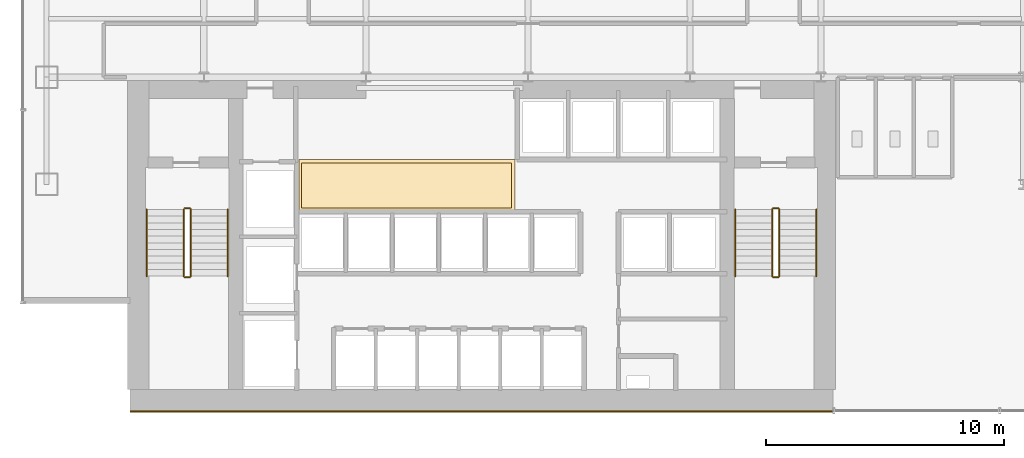
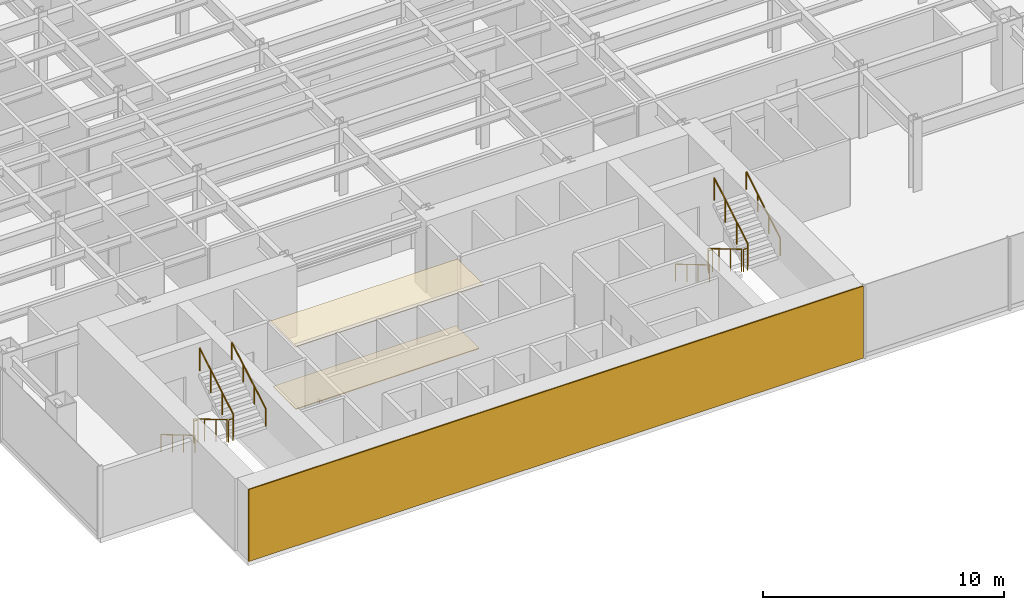
# One storey, part 20 of 22: 12 railings, 3 coverings.
"""IFC4 building model written with IfcOpenShell, lengths in metres."""

from ifc_helpers import new_model, si_unit, derived_unit, direction, frame, origin, origin_2d, place, context, subcontext, project, spatial, polyline, rectangle, circle, outline, extrude, source, transform, mapped, material, layer, layer_set, type_object, element, save


model = new_model("IFC4")

# Units and contexts
model_context = context("Model", 3, precision=1e-05, world=origin(), true_north=direction((0.0, 1.0)))
body_context = subcontext(model_context, "Body", "Model", "MODEL_VIEW")
ifc_project = project(units=[si_unit("LENGTHUNIT", "METRE"), si_unit("AREAUNIT", "SQUARE_METRE"), si_unit("VOLUMEUNIT", "CUBIC_METRE"), si_unit("PLANEANGLEUNIT", "RADIAN"), si_unit("MASSUNIT", "GRAM", prefix="KILO"), derived_unit("THERMALTRANSMITTANCEUNIT", [(si_unit("POWERUNIT", "WATT"), 1), (si_unit("LENGTHUNIT", "METRE"), -2), (si_unit("THERMODYNAMICTEMPERATUREUNIT", "KELVIN"), -1)])], contexts=[model_context])

# Site, building, storey
site_placement = place(None, origin())
site = spatial("IfcSite", under=ifc_project, at=site_placement, CompositionType="ELEMENT")
building_placement = place(site_placement, origin())
building = spatial("IfcBuilding", under=site, at=building_placement, Name="Skarnbrae Concourse Arena and Tower", CompositionType="ELEMENT")
storey_placement = place(building_placement, frame((0.0, 0.0, 61.699951171875)))
storey = spatial("IfcBuildingStorey", under=building, at=storey_placement, Name="L14", CompositionType="ELEMENT", Elevation=61.699951171875)

# Coverings
ifc_material_1 = material(Name="Mineral fibre acoustic ceiling tile", Category="other")
ifc_layer_1 = layer(ifc_material_1, 0.0400390625)
ifc_layer_set_1 = layer_set([ifc_layer_1], Name="Mineral fibre acoustic ceiling tile")
covering_type_1 = type_object("IfcCoveringType", Name="COV-CEIL-ACOUSTIC", PredefinedType="CEILING", material=ifc_layer_set_1)
covering_1_placement = place(storey_placement, frame((0.0, 0.0, 3.239990234375)))
element("IfcCovering", 1, at=covering_1_placement, inside=storey, type_object=covering_type_1, Name="L14 Lift lobby acoustic ceiling", PredefinedType="CEILING", context=body_context, shape_type="SweptSolid", body=[
    extrude(outline(polyline([(11.60009765625, 8.39990234375), (20.64990234375, 8.39990234375), (20.64990234375, 10.550048828125), (11.60009765625, 10.550048828125), (11.60009765625, 8.39990234375)])), origin(), (0.0, 0.0, 1.0), 0.0400390625),
])
ifc_material_2 = material(Name="Polished granite terrazzo flooring", Category="masonry")
ifc_layer_2 = layer(ifc_material_2, 0.0400390625)
ifc_layer_set_2 = layer_set([ifc_layer_2], Name="Polished granite terrazzo flooring")
covering_type_2 = type_object("IfcCoveringType", Name="COV-FLOOR-TERRAZZO", PredefinedType="FLOORING", material=ifc_layer_set_2)
covering_2_placement = place(storey_placement, origin())
element("IfcCovering", 2, at=covering_2_placement, inside=storey, type_object=covering_type_2, Name="L14 Lift lobby terrazzo flooring", PredefinedType="FLOORING", context=body_context, shape_type="SweptSolid", body=[
    extrude(outline(polyline([(11.699951171875, 8.5), (20.5, 8.5), (20.5, 10.39990234375), (11.699951171875, 10.39990234375), (11.699951171875, 8.5)])), origin(), (0.0, 0.0, 1.0), 0.0400390625),
])

# Railings
ifc_material_3 = material(Name="Steel CSA G40.21 350W", Category="steel")
railing_type_1 = type_object("IfcRailingType", Name="RAIL-HANDRAIL-900", PredefinedType="HANDRAIL", material=ifc_material_3)
railing_1_placement = place(storey_placement, frame((5.199951171875, 8.449951171875, 0.166015625)))
element("IfcRailing", 3, at=railing_1_placement, inside=storey, type_object=railing_type_1, Name="L14 ST-1 stair handrail 1", PredefinedType="HANDRAIL", context=body_context, shape_type="SweptSolid", body=[
    extrude(circle(Radius=0.02392578125, at=origin_2d()), frame((0.0, 0.0, 0.8759765625), z_axis=(0.0, -0.860339051648, 0.50972219513), x_axis=(1.0, 0.0, 0.0)), (0.0, 0.0, 1.0), 3.254638671875),
    extrude(circle(Radius=0.02099609375, at=origin_2d()), origin(), (0.0, 0.0, 1.0), 0.851806640625),
    extrude(circle(Radius=0.02099609375, at=origin_2d()), frame((0.0, -0.933349609375, 0.552978515625)), (0.0, 0.0, 1.0), 0.851806640625),
    extrude(circle(Radius=0.02099609375, at=origin_2d()), frame((0.0, -1.86669921875, 1.10595703125)), (0.0, 0.0, 1.0), 0.851806640625),
    extrude(circle(Radius=0.02099609375, at=origin_2d()), frame((0.0, -2.800048828125, 1.658935546875)), (0.0, 0.0, 1.0), 0.851806640625),
])
railing_2_placement = place(storey_placement, frame((8.60009765625, 5.64990234375, 1.990966796875)))
element("IfcRailing", 4, at=railing_2_placement, inside=storey, type_object=railing_type_1, Name="L14 ST-1 stair handrail 2", PredefinedType="HANDRAIL", context=body_context, shape_type="SweptSolid", body=[
    extrude(circle(Radius=0.02392578125, at=origin_2d()), frame((0.0, 0.0, 0.8759765625), z_axis=(0.0, 0.860306154799, 0.50977771628), x_axis=(-1.0, 0.0, 0.0)), (0.0, 0.0, 1.0), 3.254638671875),
    extrude(circle(Radius=0.02099609375, at=origin_2d()), origin(), (0.0, 0.0, 1.0), 0.851806640625),
    extrude(circle(Radius=0.02099609375, at=origin_2d()), frame((0.0, 0.933349609375, 0.552978515625)), (0.0, 0.0, 1.0), 0.851806640625),
    extrude(circle(Radius=0.02099609375, at=origin_2d()), frame((0.0, 1.86669921875, 1.106201171875)), (0.0, 0.0, 1.0), 0.851806640625),
    extrude(circle(Radius=0.02099609375, at=origin_2d()), frame((0.0, 2.800048828125, 1.6591796875)), (0.0, 0.0, 1.0), 0.851806640625),
])
railing_3_placement = place(storey_placement, frame((29.89990234375, 8.449951171875, 0.166015625)))
element("IfcRailing", 5, at=railing_3_placement, inside=storey, type_object=railing_type_1, Name="L14 ST-2 stair handrail 1", PredefinedType="HANDRAIL", context=body_context, shape_type="SweptSolid", body=[
    extrude(circle(Radius=0.02392578125, at=origin_2d()), frame((0.0, 0.0, 0.8759765625), z_axis=(0.0, -0.860339051648, 0.50972219513), x_axis=(1.0, 0.0, 0.0)), (0.0, 0.0, 1.0), 3.254638671875),
    extrude(circle(Radius=0.02099609375, at=origin_2d()), origin(), (0.0, 0.0, 1.0), 0.851806640625),
    extrude(circle(Radius=0.02099609375, at=origin_2d()), frame((0.0, -0.933349609375, 0.552978515625)), (0.0, 0.0, 1.0), 0.851806640625),
    extrude(circle(Radius=0.02099609375, at=origin_2d()), frame((0.0, -1.86669921875, 1.10595703125)), (0.0, 0.0, 1.0), 0.851806640625),
    extrude(circle(Radius=0.02099609375, at=origin_2d()), frame((0.0, -2.800048828125, 1.658935546875)), (0.0, 0.0, 1.0), 0.851806640625),
])
railing_4_placement = place(storey_placement, frame((33.300048828125, 5.64990234375, 1.990966796875)))
element("IfcRailing", 6, at=railing_4_placement, inside=storey, type_object=railing_type_1, Name="L14 ST-2 stair handrail 2", PredefinedType="HANDRAIL", context=body_context, shape_type="SweptSolid", body=[
    extrude(circle(Radius=0.02392578125, at=origin_2d()), frame((0.0, 0.0, 0.8759765625), z_axis=(0.0, 0.860306154799, 0.50977771628), x_axis=(-1.0, 0.0, 0.0)), (0.0, 0.0, 1.0), 3.254638671875),
    extrude(circle(Radius=0.02099609375, at=origin_2d()), origin(), (0.0, 0.0, 1.0), 0.851806640625),
    extrude(circle(Radius=0.02099609375, at=origin_2d()), frame((0.0, 0.933349609375, 0.552978515625)), (0.0, 0.0, 1.0), 0.851806640625),
    extrude(circle(Radius=0.02099609375, at=origin_2d()), frame((0.0, 1.86669921875, 1.106201171875)), (0.0, 0.0, 1.0), 0.851806640625),
    extrude(circle(Radius=0.02099609375, at=origin_2d()), frame((0.0, 2.800048828125, 1.6591796875)), (0.0, 0.0, 1.0), 0.851806640625),
])
railing_type_2 = type_object("IfcRailingType", Name="RAIL-STAIR-GUARD-1150", PredefinedType="GUARDRAIL", material=ifc_material_3)
railing_5_placement = place(storey_placement, frame((6.75, 8.449951171875, 0.166015625)))
element("IfcRailing", 7, at=railing_5_placement, inside=storey, type_object=railing_type_2, Name="L14 ST-1 stair guard 1", PredefinedType="GUARDRAIL", context=body_context, shape_type="SweptSolid", body=[
    extrude(circle(Radius=0.02392578125, at=origin_2d()), frame((0.0, 0.0, 1.1259765625), z_axis=(0.0, -0.860339051648, 0.50972219513), x_axis=(1.0, 0.0, 0.0)), (0.0, 0.0, 1.0), 3.254638671875),
    extrude(circle(Radius=0.02099609375, at=origin_2d()), origin(), (0.0, 0.0, 1.0), 1.101806640625),
    extrude(circle(Radius=0.02099609375, at=origin_2d()), frame((0.0, -0.933349609375, 0.552978515625)), (0.0, 0.0, 1.0), 1.101806640625),
    extrude(circle(Radius=0.02099609375, at=origin_2d()), frame((0.0, -1.86669921875, 1.10595703125)), (0.0, 0.0, 1.0), 1.101806640625),
    extrude(circle(Radius=0.02099609375, at=origin_2d()), frame((0.0, -2.800048828125, 1.658935546875)), (0.0, 0.0, 1.0), 1.101806640625),
])
railing_6_placement = place(storey_placement, frame((6.800048828125, 5.60009765625, 1.824951171875)))
element("IfcRailing", 8, at=railing_6_placement, inside=storey, type_object=railing_type_2, Name="L14 ST-1 stair guard 2", PredefinedType="GUARDRAIL", context=body_context, shape_type="SweptSolid", body=[
    extrude(circle(Radius=0.02392578125, at=origin_2d()), frame((0.0, 0.0, 1.1259765625), z_axis=(1.0, 0.0, 0.0), x_axis=(0.0, 1.0, 0.0)), (0.0, 0.0, 1.0), 0.199951171875),
    extrude(circle(Radius=0.02099609375, at=origin_2d()), origin(), (0.0, 0.0, 1.0), 1.101806640625),
    extrude(circle(Radius=0.02099609375, at=origin_2d()), frame((0.199951171875, 0.0, 0.0)), (0.0, 0.0, 1.0), 1.101806640625),
])
railing_7_placement = place(storey_placement, frame((7.050048828125, 5.64990234375, 1.990966796875)))
element("IfcRailing", 9, at=railing_7_placement, inside=storey, type_object=railing_type_2, Name="L14 ST-1 stair guard 3", PredefinedType="GUARDRAIL", context=body_context, shape_type="SweptSolid", body=[
    extrude(circle(Radius=0.02392578125, at=origin_2d()), frame((0.0, 0.0, 1.1259765625), z_axis=(0.0, 0.860306154799, 0.50977771628), x_axis=(-1.0, 0.0, 0.0)), (0.0, 0.0, 1.0), 3.254638671875),
    extrude(circle(Radius=0.02099609375, at=origin_2d()), origin(), (0.0, 0.0, 1.0), 1.101806640625),
    extrude(circle(Radius=0.02099609375, at=origin_2d()), frame((0.0, 0.933349609375, 0.552978515625)), (0.0, 0.0, 1.0), 1.101806640625),
    extrude(circle(Radius=0.02099609375, at=origin_2d()), frame((0.0, 1.86669921875, 1.106201171875)), (0.0, 0.0, 1.0), 1.101806640625),
    extrude(circle(Radius=0.02099609375, at=origin_2d()), frame((0.0, 2.800048828125, 1.6591796875)), (0.0, 0.0, 1.0), 1.101806640625),
])
railing_8_placement = place(storey_placement, frame((6.800048828125, 8.5, 0.0)))
element("IfcRailing", 10, at=railing_8_placement, inside=storey, type_object=railing_type_2, Name="L14 ST-1 stair guard 4", PredefinedType="GUARDRAIL", context=body_context, shape_type="SweptSolid", body=[
    extrude(circle(Radius=0.02392578125, at=origin_2d()), frame((0.0, 0.0, 1.1259765625), z_axis=(1.0, 0.0, 0.0), x_axis=(0.0, 1.0, 0.0)), (0.0, 0.0, 1.0), 0.199951171875),
    extrude(circle(Radius=0.02099609375, at=origin_2d()), origin(), (0.0, 0.0, 1.0), 1.101806640625),
    extrude(circle(Radius=0.02099609375, at=origin_2d()), frame((0.199951171875, 0.0, 0.0)), (0.0, 0.0, 1.0), 1.101806640625),
])
railing_9_placement = place(storey_placement, frame((31.449951171875, 8.449951171875, 0.166015625)))
element("IfcRailing", 11, at=railing_9_placement, inside=storey, type_object=railing_type_2, Name="L14 ST-2 stair guard 1", PredefinedType="GUARDRAIL", context=body_context, shape_type="SweptSolid", body=[
    extrude(circle(Radius=0.02392578125, at=origin_2d()), frame((0.0, 0.0, 1.1259765625), z_axis=(0.0, -0.860339051648, 0.50972219513), x_axis=(1.0, 0.0, 0.0)), (0.0, 0.0, 1.0), 3.254638671875),
    extrude(circle(Radius=0.02099609375, at=origin_2d()), origin(), (0.0, 0.0, 1.0), 1.101806640625),
    extrude(circle(Radius=0.02099609375, at=origin_2d()), frame((0.0, -0.933349609375, 0.552978515625)), (0.0, 0.0, 1.0), 1.101806640625),
    extrude(circle(Radius=0.02099609375, at=origin_2d()), frame((0.0, -1.86669921875, 1.10595703125)), (0.0, 0.0, 1.0), 1.101806640625),
    extrude(circle(Radius=0.02099609375, at=origin_2d()), frame((0.0, -2.800048828125, 1.658935546875)), (0.0, 0.0, 1.0), 1.101806640625),
])
railing_10_placement = place(storey_placement, frame((31.5, 5.60009765625, 1.824951171875)))
element("IfcRailing", 12, at=railing_10_placement, inside=storey, type_object=railing_type_2, Name="L14 ST-2 stair guard 2", PredefinedType="GUARDRAIL", context=body_context, shape_type="SweptSolid", body=[
    extrude(circle(Radius=0.02392578125, at=origin_2d()), frame((0.0, 0.0, 1.1259765625), z_axis=(1.0, 0.0, 0.0), x_axis=(0.0, 1.0, 0.0)), (0.0, 0.0, 1.0), 0.199951171875),
    extrude(circle(Radius=0.02099609375, at=origin_2d()), origin(), (0.0, 0.0, 1.0), 1.101806640625),
    extrude(circle(Radius=0.02099609375, at=origin_2d()), frame((0.199951171875, 0.0, 0.0)), (0.0, 0.0, 1.0), 1.101806640625),
])
railing_11_placement = place(storey_placement, frame((31.75, 5.64990234375, 1.990966796875)))
element("IfcRailing", 13, at=railing_11_placement, inside=storey, type_object=railing_type_2, Name="L14 ST-2 stair guard 3", PredefinedType="GUARDRAIL", context=body_context, shape_type="SweptSolid", body=[
    extrude(circle(Radius=0.02392578125, at=origin_2d()), frame((0.0, 0.0, 1.1259765625), z_axis=(0.0, 0.860306154799, 0.50977771628), x_axis=(-1.0, 0.0, 0.0)), (0.0, 0.0, 1.0), 3.254638671875),
    extrude(circle(Radius=0.02099609375, at=origin_2d()), origin(), (0.0, 0.0, 1.0), 1.101806640625),
    extrude(circle(Radius=0.02099609375, at=origin_2d()), frame((0.0, 0.933349609375, 0.552978515625)), (0.0, 0.0, 1.0), 1.101806640625),
    extrude(circle(Radius=0.02099609375, at=origin_2d()), frame((0.0, 1.86669921875, 1.106201171875)), (0.0, 0.0, 1.0), 1.101806640625),
    extrude(circle(Radius=0.02099609375, at=origin_2d()), frame((0.0, 2.800048828125, 1.6591796875)), (0.0, 0.0, 1.0), 1.101806640625),
])
railing_12_placement = place(storey_placement, frame((31.5, 8.5, 0.0)))
element("IfcRailing", 14, at=railing_12_placement, inside=storey, type_object=railing_type_2, Name="L14 ST-2 stair guard 4", PredefinedType="GUARDRAIL", context=body_context, shape_type="SweptSolid", body=[
    extrude(circle(Radius=0.02392578125, at=origin_2d()), frame((0.0, 0.0, 1.1259765625), z_axis=(1.0, 0.0, 0.0), x_axis=(0.0, 1.0, 0.0)), (0.0, 0.0, 1.0), 0.199951171875),
    extrude(circle(Radius=0.02099609375, at=origin_2d()), origin(), (0.0, 0.0, 1.0), 1.101806640625),
    extrude(circle(Radius=0.02099609375, at=origin_2d()), frame((0.199951171875, 0.0, 0.0)), (0.0, 0.0, 1.0), 1.101806640625),
])

# Covering
ifc_material_4 = material(Name="Bronze anodised aluminium 6063-T6", Category="aluminium")
ifc_layer_3 = layer(ifc_material_4, 0.06005859375)
ifc_layer_set_3 = layer_set([ifc_layer_3], Name="Bronze anodised aluminium 6063-T6")
covering_type_3 = type_object("IfcCoveringType", Name="COV-CLAD-BRONZE-60", PredefinedType="CLADDING", material=ifc_layer_set_3)
shared_shape = source(origin(), body_context, "Body", "SweptSolid", [
    extrude(rectangle(XDim=29.5, YDim=0.06005859375, at=origin_2d()), origin(), (0.0, 0.0, 1.0), 3.64990234375),
])
covering_3_placement = place(storey_placement, frame((19.25, -0.030029296875, 0.0), z_axis=(0.0, 0.0, 1.0), x_axis=(1.0, 0.0, 0.0)))
element("IfcCovering", 15, at=covering_3_placement, inside=storey, type_object=covering_type_3, Name="L14 Rear-core plumb spine bronze rainscreen panel", PredefinedType="CLADDING", context=body_context, shape_type="MappedRepresentation", body=[
    mapped(shared_shape, transform((0.0, 0.0, 0.0))),
])

save(model, "model.ifc")
